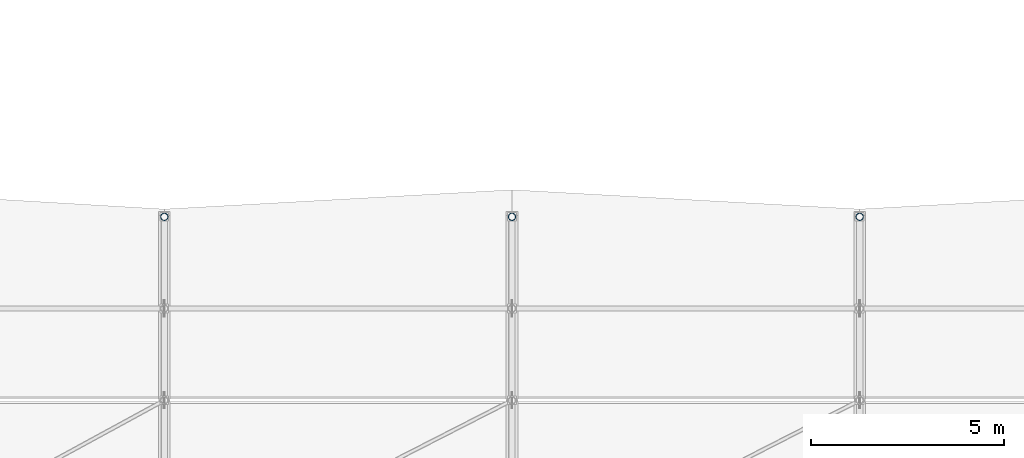
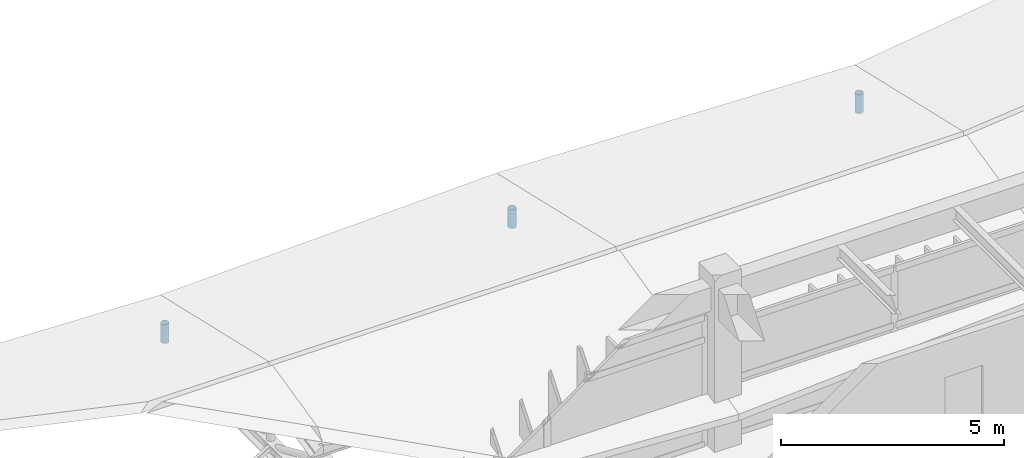
# One storey, part 47 of 90: 3 members.
"""IFC4 building model written with IfcOpenShell, lengths in metres."""

from ifc_helpers import new_model, si_unit, direction, frame, origin, origin_2d, place, context, subcontext, project, spatial, hollow_circle, extrude, material, material_profile, profile_set, type_object, element, save


model = new_model("IFC4")

# Units and contexts
model_context = context("Model", 3, precision=1e-05, world=origin(), true_north=direction((0.0, 1.0)))
body_context = subcontext(model_context, "Body", "Model", "MODEL_VIEW")
ifc_project = project(units=[si_unit("LENGTHUNIT", "METRE"), si_unit("AREAUNIT", "SQUARE_METRE"), si_unit("VOLUMEUNIT", "CUBIC_METRE"), si_unit("PLANEANGLEUNIT", "RADIAN"), si_unit("MASSUNIT", "GRAM", prefix="KILO")], contexts=[model_context])

# Site, building, storey
site_placement = place(None, origin())
site = spatial("IfcSite", under=ifc_project, at=site_placement, CompositionType="ELEMENT")
building_placement = place(site_placement, origin())
building = spatial("IfcBuilding", under=site, at=building_placement, Name="Bozkorgan Art Gallery", CompositionType="ELEMENT")
storey_placement = place(building_placement, frame((0.0, 0.0, 5.39990234375)))
storey = spatial("IfcBuildingStorey", under=building, at=storey_placement, Name="L01", CompositionType="ELEMENT", Elevation=5.39990234375)

# Members
ifc_material = material(Name="Steel S355J2", Category="steel")
ifc_material_profile = material_profile(ifc_material, hollow_circle(Radius=0.096923828125, WallThickness=0.008056640625, at=origin_2d()), Name="CHS 193.7x8")
ifc_profile_set = profile_set([ifc_material_profile], Name="Steel S355J2")
member_type = type_object("IfcMemberType", Name="MEMBER-TP-46", PredefinedType="POST", material=ifc_profile_set)
for number, where, z_axis, x_axis, name in (
    (1, (38.0, 29.35009765625, 0.2001953125), (0.0, 0.0, 1.0), (1.0, 0.0, 0.0), "ROOF-V1-STEP1 roof truss 2 post 4"),
    (2, (47.0, 29.35009765625, 0.2001953125), (0.0, 0.0, 1.0), (1.0, 0.0, 0.0), "ROOF-V1-STEP1 roof truss 3 post 4"),
):
    element("IfcMember", number, at=place(storey_placement, frame(where, z_axis=z_axis, x_axis=x_axis)), inside=storey, type_object=member_type, Name=name, PredefinedType="POST", context=body_context, shape_type="SweptSolid", body=[
        extrude(hollow_circle(Radius=0.096923828125, WallThickness=0.008056640625, at=origin_2d()), origin(), (0.0, 0.0, 1.0), 0.51318359375),
    ])
member_placement = place(storey_placement, frame((56.0, 29.35009765625, 0.2001953125), z_axis=(0.0, 0.0, 1.0), x_axis=(1.0, 0.0, 0.0)))
element("IfcMember", 3, at=member_placement, inside=storey, type_object=member_type, Name="ROOF-V1-STEP1 roof truss 4 post 4", PredefinedType="POST", context=body_context, shape_type="SweptSolid", body=[
    extrude(hollow_circle(Radius=0.096923828125, WallThickness=0.008056640625, at=origin_2d()), origin(), (0.0, 0.0, 1.0), 0.518798828125),
])

save(model, "model.ifc")
